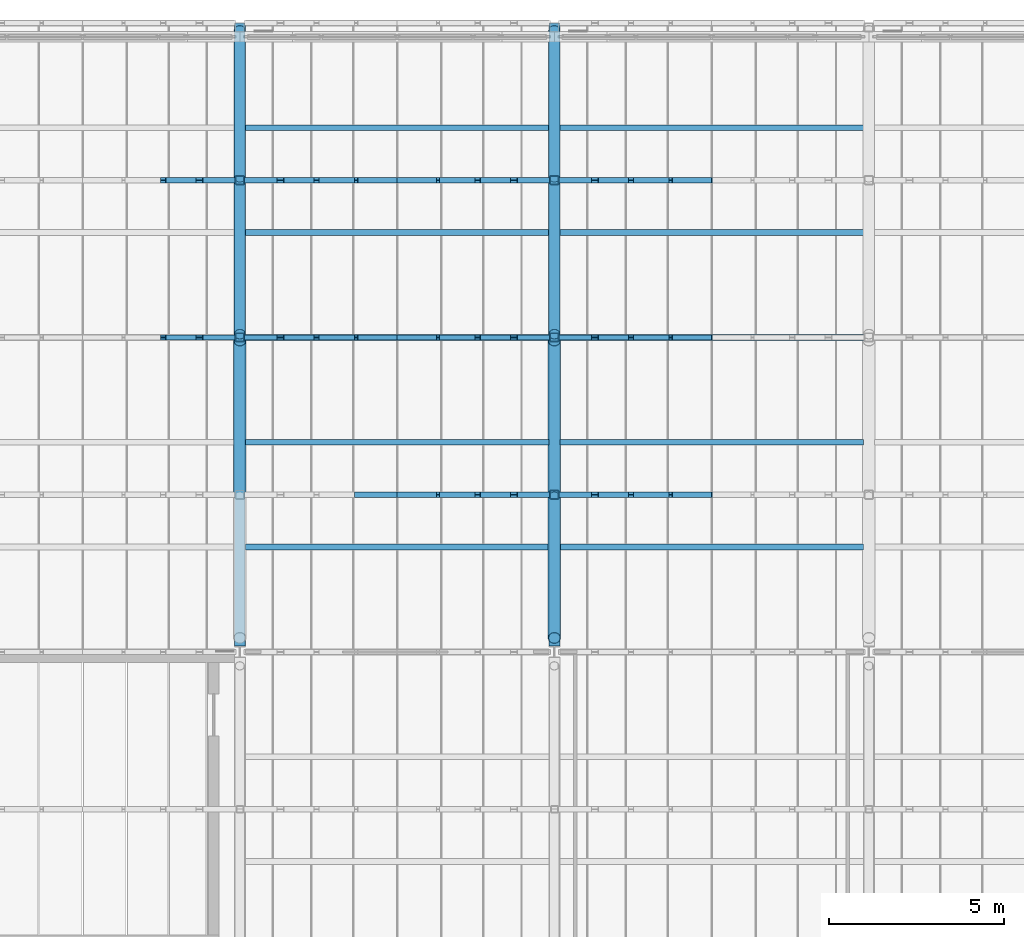
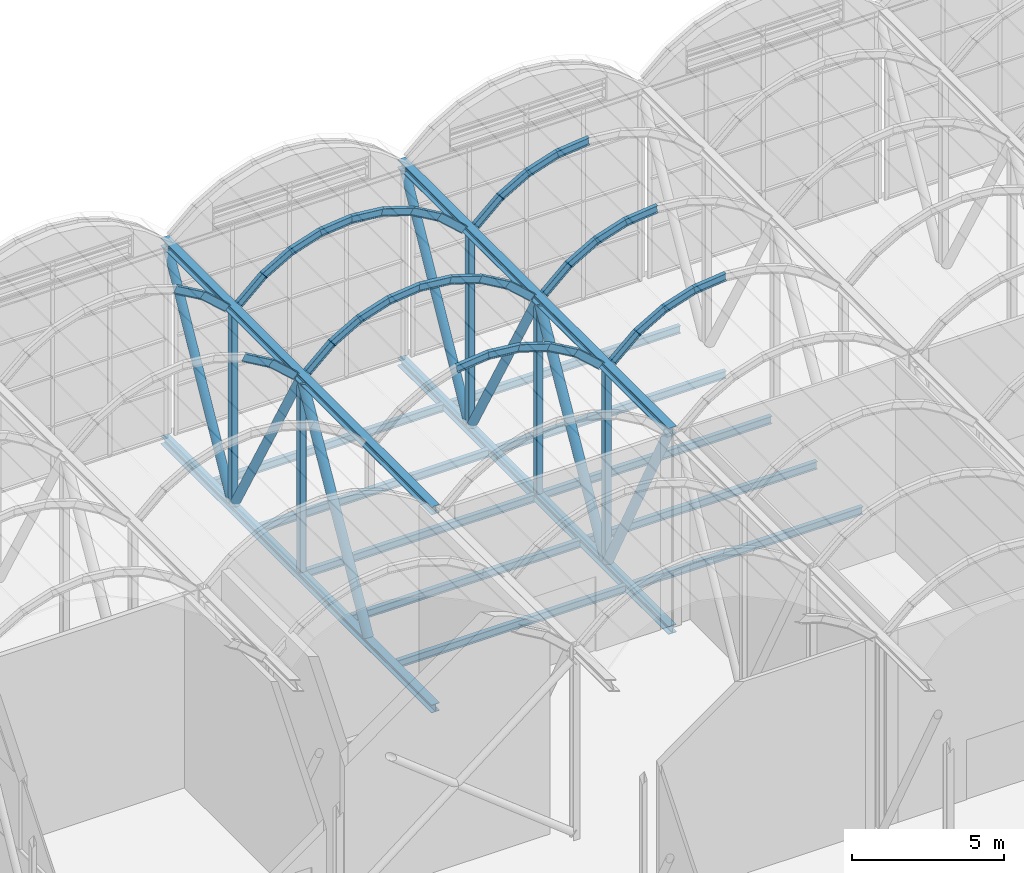
# One storey, part 103 of 144: 49 members, 14 beams.
"""IFC4 building model written with IfcOpenShell, lengths in metres."""

import ifcopenshell
import ifcopenshell.guid

model = None  # the IFC model being written
_history = None  # IfcOwnerHistory: only IFC2X3 demands one
_inside = {}  # id of a spatial element -> (the spatial element, [elements in it])
_under = {}  # id of a project, library or spatial element -> (it, [spatial elements below it])
_declared = {}  # id of a project -> (the project, [libraries it declares])
_typed = {}  # id of a type object -> (the type object, [elements of that type])
_made_of = {}  # id of a material, layer set ... -> (it, [elements and type objects made of it])


def new_model(schema):
    """Start an empty IFC model of exactly this schema.

    Asked for "IFC4X3", IfcOpenShell would pick the latest addendum, in which some entities
    have other attributes; the version numbers below select the first issue.
    IFC2X3 requires an IfcOwnerHistory on every rooted entity: one is made here for all.
    """
    global model, _history
    if schema == "IFC4X3":
        model = ifcopenshell.file(schema_version=(4, 3, 0, 0))
    else:
        model = ifcopenshell.file(schema=schema)
    _inside.clear()
    _under.clear()
    _declared.clear()
    _typed.clear()
    _made_of.clear()
    _history = None
    if model.schema == "IFC2X3":
        org = make("IfcOrganization", Name="unknown")
        user = make(
            "IfcPersonAndOrganization",
            ThePerson=make("IfcPerson", FamilyName="unknown"),
            TheOrganization=org,
        )
        app = make(
            "IfcApplication",
            ApplicationDeveloper=org,
            Version="unknown",
            ApplicationFullName="unknown",
            ApplicationIdentifier="unknown",
        )
        _history = make(
            "IfcOwnerHistory",
            OwningUser=user,
            OwningApplication=app,
            ChangeAction="ADDED",
            CreationDate=0,
        )
    return model


def make(cls, **values):
    """One entity of the class cls with the attributes given. An attribute that is None is left unset."""
    return model.create_entity(
        cls, **{name: value for name, value in values.items() if value is not None}
    )


def rooted(cls, **values):
    """An entity with a GlobalId (a new one), such as an element, a storey or a relation."""
    return make(cls, GlobalId=ifcopenshell.guid.new(), OwnerHistory=_history, **values)


def si_unit(unit_type, name, prefix=None):
    """IfcSIUnit, for example si_unit("LENGTHUNIT", "METRE", prefix="MILLI")."""
    return make("IfcSIUnit", UnitType=unit_type, Prefix=prefix, Name=name)


def assignment(units):
    """IfcUnitAssignment: the units of a project."""
    return None if units is None else make("IfcUnitAssignment", Units=units)


def point(xyz):
    """IfcCartesianPoint."""
    return None if xyz is None else make("IfcCartesianPoint", Coordinates=xyz)


def direction(xyz):
    """IfcDirection."""
    return None if xyz is None else make("IfcDirection", DirectionRatios=xyz)


def frame(location, z_axis=None, x_axis=None):
    """IfcAxis2Placement3D, a coordinate frame: its origin and axes. An axis left out is left unset."""
    return make(
        "IfcAxis2Placement3D",
        Location=point(location),
        Axis=direction(z_axis),
        RefDirection=direction(x_axis),
    )


def frame_2d(location, x_axis=None):
    """IfcAxis2Placement2D, a coordinate frame in the plane: its origin and x axis."""
    return make(
        "IfcAxis2Placement2D", Location=point(location), RefDirection=direction(x_axis)
    )


def origin():
    """The frame at (0, 0, 0) with its axes left unset."""
    return frame((0.0, 0.0, 0.0))


def origin_2d():
    """The frame at (0, 0) in the plane with its x axis left unset."""
    return frame_2d((0.0, 0.0))


def place(relative_to, where):
    """IfcLocalPlacement: puts the frame where relative to a parent placement (None: the world)."""
    return make(
        "IfcLocalPlacement", PlacementRelTo=relative_to, RelativePlacement=where
    )


def context(
    kind, dimensions, precision=None, world=None, true_north=None, identifier=None
):
    """IfcGeometricRepresentationContext, for example the 3D "Model" context."""
    return make(
        "IfcGeometricRepresentationContext",
        ContextIdentifier=identifier,
        ContextType=kind,
        CoordinateSpaceDimension=dimensions,
        Precision=precision,
        WorldCoordinateSystem=world,
        TrueNorth=true_north,
    )


def subcontext(parent, identifier, kind, view, scale=None):
    """IfcGeometricRepresentationSubContext, for example "Body" below "Model"."""
    return make(
        "IfcGeometricRepresentationSubContext",
        ContextIdentifier=identifier,
        ContextType=kind,
        ParentContext=parent,
        TargetScale=scale,
        TargetView=view,
    )


def project(units=None, contexts=None):
    """IfcProject with its units and contexts."""
    return rooted(
        "IfcProject",
        Name="project",
        RepresentationContexts=contexts,
        UnitsInContext=assignment(units),
    )


def spatial(cls, under=None, at=None, **own):
    """A site, building, storey or space (cls), placed at a placement, below another one or the project."""
    s = rooted(cls, ObjectPlacement=at, **own)
    if under is not None:
        _under.setdefault(under.id(), (under, []))[1].append(s)
    return s


def profile(cls, at=None, kind="AREA", **sizes):
    """A parametric profile (cls). Its sizes go by their IFC names, for example OverallWidth=200.0."""
    return make(cls, ProfileType=kind, Position=at, **sizes)


def hollow_rectangle(**sizes):
    """IfcRectangleHollowProfileDef."""
    return profile("IfcRectangleHollowProfileDef", **sizes)


def hollow_circle(**sizes):
    """IfcCircleHollowProfileDef."""
    return profile("IfcCircleHollowProfileDef", **sizes)


def i_section(**sizes):
    """IfcIShapeProfileDef."""
    return profile("IfcIShapeProfileDef", **sizes)


def extrude(swept, where, along, depth):
    """IfcExtrudedAreaSolid: the profile swept, set in the frame where, extruded along a direction by depth."""
    return make(
        "IfcExtrudedAreaSolid",
        SweptArea=swept,
        Position=where,
        ExtrudedDirection=direction(along),
        Depth=depth,
    )


def shape(context_of_items, identifier, shape_type, items):
    """IfcShapeRepresentation: the items that make up one representation, for example the "Body"."""
    return make(
        "IfcShapeRepresentation",
        ContextOfItems=context_of_items,
        RepresentationIdentifier=identifier,
        RepresentationType=shape_type,
        Items=items,
    )


def material(Name=None, Category=None):
    """IfcMaterial."""
    return make("IfcMaterial", Name=Name, Category=Category)


def material_profile(
    of_material, cross_section, Name=None, Category=None, Priority=None
):
    """IfcMaterialProfile: a cross section and its material."""
    return make(
        "IfcMaterialProfile",
        Name=Name,
        Material=of_material,
        Profile=cross_section,
        Priority=Priority,
        Category=Category,
    )


def profile_set(profiles, Name=None, composite=None):
    """IfcMaterialProfileSet."""
    return make(
        "IfcMaterialProfileSet",
        Name=Name,
        MaterialProfiles=profiles,
        CompositeProfile=composite,
    )


def made_of(thing, what):
    """Note that an element or type object is made of a material, layer set ...; save() writes the relation."""
    if what is not None:
        _made_of.setdefault(what.id(), (what, []))[1].append(thing)
    return thing


def type_object(cls, material=None, **own):
    """A type object (cls), such as IfcWallType, which elements share."""
    return made_of(rooted(cls, **own), material)


def element(
    cls,
    number,
    at=None,
    inside=None,
    cuts=None,
    type_object=None,
    material=None,
    context=None,
    identifier="Body",
    shape_type=None,
    held_by="IfcProductDefinitionShape",
    body=None,
    shapes=None,
    **own,
):
    """One element of the class cls, such as IfcWall. Its Tag is "e" and its number.

    at: its placement. inside: the storey or other place that contains it. cuts: it is an
    opening in that element (IfcRelVoidsElement). A single representation is given by context,
    identifier, shape_type and body (its items); several are given by shapes. held_by: the class
    of the entity that holds the representations. save() writes the other relations.
    """
    e = rooted(cls, Tag="e%d" % number, ObjectPlacement=at, **own)
    if body is not None:
        shapes = [shape(context, identifier, shape_type, body)]
    if shapes is not None:
        e.Representation = make(held_by, Representations=shapes)
    if inside is not None:
        _inside.setdefault(inside.id(), (inside, []))[1].append(e)
    if cuts is not None:
        rooted(
            "IfcRelVoidsElement", RelatingBuildingElement=cuts, RelatedOpeningElement=e
        )
    if type_object is not None:
        _typed.setdefault(type_object.id(), (type_object, []))[1].append(e)
    return made_of(e, material)


def aggregate(whole, parts):
    """IfcRelAggregates: a whole, such as a stair, and the parts it consists of."""
    return rooted("IfcRelAggregates", RelatingObject=whole, RelatedObjects=parts)


def save(model, path):
    """Write the relations noted so far, then the file.

    IfcRelAggregates (storeys below a building ...), IfcRelContainedInSpatialStructure (elements
    in a storey), IfcRelDefinesByType, IfcRelAssociatesMaterial and IfcRelDeclares: one each for
    every whole, place, type object, material and project.
    """
    for whole, parts in _under.values():
        aggregate(whole, parts)
    for where, things in _inside.values():
        rooted(
            "IfcRelContainedInSpatialStructure",
            RelatedElements=things,
            RelatingStructure=where,
        )
    for kind, things in _typed.values():
        rooted("IfcRelDefinesByType", RelatedObjects=things, RelatingType=kind)
    for what, things in _made_of.values():
        rooted("IfcRelAssociatesMaterial", RelatedObjects=things, RelatingMaterial=what)
    for by, libraries in _declared.values():
        rooted("IfcRelDeclares", RelatingContext=by, RelatedDefinitions=libraries)
    model.write(path)


model = new_model("IFC4")

# Units and contexts
model_context = context("Model", 3, precision=1e-05, world=origin(), true_north=direction((0.0, 1.0)))
body_context = subcontext(model_context, "Body", "Model", "MODEL_VIEW")
ifc_project = project(units=[si_unit("LENGTHUNIT", "METRE"), si_unit("AREAUNIT", "SQUARE_METRE"), si_unit("VOLUMEUNIT", "CUBIC_METRE"), si_unit("PLANEANGLEUNIT", "RADIAN"), si_unit("MASSUNIT", "GRAM", prefix="KILO")], contexts=[model_context])

# Site, building, storey
site_placement = place(None, origin())
site = spatial("IfcSite", under=ifc_project, at=site_placement, CompositionType="ELEMENT")
building_placement = place(site_placement, origin())
building = spatial("IfcBuilding", under=site, at=building_placement, Name="Shorebreak Coast Museum", CompositionType="ELEMENT")
storey_placement = place(building_placement, frame((0.0, 0.0, 36.0)))
storey = spatial("IfcBuildingStorey", under=building, at=storey_placement, Name="L06", CompositionType="ELEMENT", Elevation=36.0)

# Beams
ifc_material_1 = material(Name="Steel Grade 300", Category="steel")
ifc_material_profile_1 = material_profile(ifc_material_1, i_section(OverallWidth=0.166015625, OverallDepth=0.30712890625, WebThickness=0.006591796875, FlangeThickness=0.01171875, FilletRadius=0.011474609375, at=origin_2d()), Name="310UB46.2")
ifc_profile_set_1 = profile_set([ifc_material_profile_1], Name="Steel Grade 300")
beam_type_1 = type_object("IfcBeamType", Name="Floor girder east-west 310UB46.2", PredefinedType="BEAM", material=ifc_profile_set_1)
for number, where, z_axis, x_axis, name in (
    (1, (72.155517578125, 126.0, -0.32861328125), (1.0, 0.0, 0.0), (0.0, 1.0, 0.0), "Floor girder east-west L06 9R"),
    (2, (81.155517578125, 126.0, -0.32861328125), (1.0, 0.0, 0.0), (0.0, 1.0, 0.0), "Floor girder east-west L06 10R"),
):
    element("IfcBeam", number, at=place(storey_placement, frame(where, z_axis=z_axis, x_axis=x_axis)), inside=storey, type_object=beam_type_1, Name=name, PredefinedType="BEAM", context=body_context, shape_type="SweptSolid", body=[
        extrude(i_section(OverallWidth=0.166015625, OverallDepth=0.30712890625, WebThickness=0.006591796875, FlangeThickness=0.01171875, FilletRadius=0.011474609375, at=origin_2d()), origin(), (0.0, 0.0, 1.0), 8.68896484375),
    ])
ifc_material_2 = material(Name="Steel Grade 300", Category="steel")
ifc_material_profile_2 = material_profile(ifc_material_2, i_section(OverallWidth=0.166015625, OverallDepth=0.30712890625, WebThickness=0.006591796875, FlangeThickness=0.01171875, FilletRadius=0.011474609375, at=origin_2d()), Name="310UB46.2")
ifc_profile_set_2 = profile_set([ifc_material_profile_2], Name="Steel Grade 300")
beam_type_2 = type_object("IfcBeamType", Name="Floor joist 310UB46.2", PredefinedType="JOIST", material=ifc_profile_set_2)
for number, where, z_axis, x_axis, name in (
    (3, (72.155517578125, 120.0, -0.32861328125), (1.0, 0.0, 0.0), (0.0, 1.0, 0.0), "Floor joist L06 bay 9P at 3000 mm"),
    (4, (72.155517578125, 123.0, -0.32861328125), (1.0, 0.0, 0.0), (0.0, 1.0, 0.0), "Floor joist L06 bay 9P at 6000 mm"),
    (5, (81.155517578125, 120.0, -0.32861328125), (1.0, 0.0, 0.0), (0.0, 1.0, 0.0), "Floor joist L06 bay 10P at 3000 mm"),
    (6, (81.155517578125, 123.0, -0.32861328125), (1.0, 0.0, 0.0), (0.0, 1.0, 0.0), "Floor joist L06 bay 10P at 6000 mm"),
    (7, (72.155517578125, 129.0, -0.32861328125), (1.0, 0.0, 0.0), (0.0, 1.0, 0.0), "Floor joist L06 bay 9R at 3000 mm"),
    (8, (72.155517578125, 132.0, -0.32861328125), (1.0, 0.0, 0.0), (0.0, 1.0, 0.0), "Floor joist L06 bay 9R at 6000 mm"),
    (9, (81.155517578125, 129.0, -0.32861328125), (1.0, 0.0, 0.0), (0.0, 1.0, 0.0), "Floor joist L06 bay 10R at 3000 mm"),
    (10, (81.155517578125, 132.0, -0.32861328125), (1.0, 0.0, 0.0), (0.0, 1.0, 0.0), "Floor joist L06 bay 10R at 6000 mm"),
):
    element("IfcBeam", number, at=place(storey_placement, frame(where, z_axis=z_axis, x_axis=x_axis)), inside=storey, type_object=beam_type_2, Name=name, PredefinedType="JOIST", context=body_context, shape_type="SweptSolid", body=[
        extrude(i_section(OverallWidth=0.166015625, OverallDepth=0.30712890625, WebThickness=0.006591796875, FlangeThickness=0.01171875, FilletRadius=0.011474609375, at=origin_2d()), origin(), (0.0, 0.0, 1.0), 8.68896484375),
    ])
ifc_material_3 = material(Name="Steel Grade 300", Category="steel")
ifc_material_profile_3 = material_profile(ifc_material_3, i_section(OverallWidth=0.30908203125, OverallDepth=0.320556640625, WebThickness=0.013916015625, FlangeThickness=0.021728515625, FilletRadius=0.0166015625, at=origin_2d()), Name="310UC137")
ifc_profile_set_3 = profile_set([ifc_material_profile_3], Name="Steel Grade 300")
beam_type_3 = type_object("IfcBeamType", Name="Transfer truss chord 310UC137", PredefinedType="BEAM", material=ifc_profile_set_3)
for number, where, z_axis, x_axis, name in (
    (11, (72.0, 117.16357421875, -0.335205078125), (0.0, 1.0, 0.0), (-1.0, 0.0, 0.0), "Transfer truss TR3 chord C08"),
    (12, (81.0, 117.16357421875, -0.335205078125), (0.0, 1.0, 0.0), (-1.0, 0.0, 0.0), "Transfer truss TR4 chord C08"),
):
    element("IfcBeam", number, at=place(storey_placement, frame(where, z_axis=z_axis, x_axis=x_axis)), inside=storey, type_object=beam_type_3, Name=name, PredefinedType="BEAM", context=body_context, shape_type="SweptSolid", body=[
        extrude(i_section(OverallWidth=0.30908203125, OverallDepth=0.320556640625, WebThickness=0.013916015625, FlangeThickness=0.021728515625, FilletRadius=0.0166015625, at=origin_2d()), origin(), (0.0, 0.0, 1.0), 17.83642578125),
    ])
ifc_material_4 = material(Name="Steel Grade 300", Category="steel")
ifc_material_profile_4 = material_profile(ifc_material_4, i_section(OverallWidth=0.31103515625, OverallDepth=0.3271484375, WebThickness=0.015625, FlangeThickness=0.02490234375, FilletRadius=0.0166015625, at=origin_2d()), Name="310UC158")
ifc_profile_set_4 = profile_set([ifc_material_profile_4], Name="Steel Grade 300")
beam_type_4 = type_object("IfcBeamType", Name="Transfer truss chord 310UC158", PredefinedType="BEAM", material=ifc_profile_set_4)
for number, where, z_axis, x_axis, name in (
    (13, (72.0, 117.16357421875, 7.621337890625), (0.0, 1.0, 0.0), (-1.0, 0.0, 0.0), "Transfer truss TR3 chord C12"),
    (14, (81.0, 117.16357421875, 7.621337890625), (0.0, 1.0, 0.0), (-1.0, 0.0, 0.0), "Transfer truss TR4 chord C12"),
):
    element("IfcBeam", number, at=place(storey_placement, frame(where, z_axis=z_axis, x_axis=x_axis)), inside=storey, type_object=beam_type_4, Name=name, PredefinedType="BEAM", context=body_context, shape_type="SweptSolid", body=[
        extrude(i_section(OverallWidth=0.31103515625, OverallDepth=0.3271484375, WebThickness=0.015625, FlangeThickness=0.02490234375, FilletRadius=0.0166015625, at=origin_2d()), origin(), (0.0, 0.0, 1.0), 17.83642578125),
    ])

# Members
ifc_material_5 = material(Name="Steel Grade C350L0", Category="steel")
ifc_material_profile_5 = material_profile(ifc_material_5, hollow_circle(Radius=0.161865234375, WallThickness=0.009521484375, at=origin_2d()), Name="323.9x9.5 CHS")
ifc_profile_set_5 = profile_set([ifc_material_profile_5], Name="Steel Grade C350L0")
member_type_1 = type_object("IfcMemberType", Name="Transfer truss diagonal 323.9x9.5 CHS", PredefinedType="BRACE", material=ifc_profile_set_5)
member_1_placement = place(storey_placement, frame((72.0, 130.4091796875, -0.175048828125), z_axis=(0.0, -0.492269166118, 0.870443029778), x_axis=(1.0, 0.0, 0.0)))
element("IfcMember", 15, at=member_1_placement, inside=storey, type_object=member_type_1, Name="Transfer truss TR3 diagonal D17", PredefinedType="BRACE", context=body_context, shape_type="SweptSolid", body=[
    extrude(hollow_circle(Radius=0.161865234375, WallThickness=0.009521484375, at=origin_2d()), origin(), (0.0, 0.0, 1.0), 8.768798828125),
])
member_2_placement = place(storey_placement, frame((72.0, 130.588134765625, -0.175048828125), z_axis=(0.0, 0.481806847745, 0.876277445485), x_axis=(-1.0, 0.0, 0.0)))
element("IfcMember", 16, at=member_2_placement, inside=storey, type_object=member_type_1, Name="Transfer truss TR3 diagonal D18", PredefinedType="BRACE", context=body_context, shape_type="SweptSolid", body=[
    extrude(hollow_circle(Radius=0.161865234375, WallThickness=0.009521484375, at=origin_2d()), origin(), (0.0, 0.0, 1.0), 8.71044921875),
])
member_3_placement = place(storey_placement, frame((81.0, 130.4091796875, -0.175048828125), z_axis=(0.0, -0.492269166118, 0.870443029778), x_axis=(1.0, 0.0, 0.0)))
element("IfcMember", 17, at=member_3_placement, inside=storey, type_object=member_type_1, Name="Transfer truss TR4 diagonal D17", PredefinedType="BRACE", context=body_context, shape_type="SweptSolid", body=[
    extrude(hollow_circle(Radius=0.161865234375, WallThickness=0.009521484375, at=origin_2d()), origin(), (0.0, 0.0, 1.0), 8.768798828125),
])
member_4_placement = place(storey_placement, frame((81.0, 130.588134765625, -0.175048828125), z_axis=(0.0, 0.481806847745, 0.876277445485), x_axis=(-1.0, 0.0, 0.0)))
element("IfcMember", 18, at=member_4_placement, inside=storey, type_object=member_type_1, Name="Transfer truss TR4 diagonal D18", PredefinedType="BRACE", context=body_context, shape_type="SweptSolid", body=[
    extrude(hollow_circle(Radius=0.161865234375, WallThickness=0.009521484375, at=origin_2d()), origin(), (0.0, 0.0, 1.0), 8.71044921875),
])
ifc_material_6 = material(Name="Steel Grade C350L0", Category="steel")
ifc_material_profile_6 = material_profile(ifc_material_6, hollow_circle(Radius=0.177734375, WallThickness=0.0126953125, at=origin_2d()), Name="355.6x12.7 CHS")
ifc_profile_set_6 = profile_set([ifc_material_profile_6], Name="Steel Grade C350L0")
member_type_2 = type_object("IfcMemberType", Name="Transfer truss diagonal 355.6x12.7 CHS", PredefinedType="BRACE", material=ifc_profile_set_6)
member_5_placement = place(storey_placement, frame((72.0, 121.5908203125, -0.175048828125), z_axis=(0.0, 0.492269166118, 0.870443029778), x_axis=(-1.0, 0.0, 0.0)))
element("IfcMember", 19, at=member_5_placement, inside=storey, type_object=member_type_2, Name="Transfer truss TR3 diagonal D16", PredefinedType="BRACE", context=body_context, shape_type="SweptSolid", body=[
    extrude(hollow_circle(Radius=0.177734375, WallThickness=0.0126953125, at=origin_2d()), origin(), (0.0, 0.0, 1.0), 8.768798828125),
])
member_6_placement = place(storey_placement, frame((81.0, 121.415771484375, -0.175048828125), z_axis=(0.0, -0.465641431585, 0.884973478242), x_axis=(1.0, 0.0, 0.0)))
element("IfcMember", 20, at=member_6_placement, inside=storey, type_object=member_type_2, Name="Transfer truss TR4 diagonal D15", PredefinedType="BRACE", context=body_context, shape_type="SweptSolid", body=[
    extrude(hollow_circle(Radius=0.177734375, WallThickness=0.0126953125, at=origin_2d()), origin(), (0.0, 0.0, 1.0), 8.625),
])
member_7_placement = place(storey_placement, frame((81.0, 121.5908203125, -0.175048828125), z_axis=(0.0, 0.492269166118, 0.870443029778), x_axis=(-1.0, 0.0, 0.0)))
element("IfcMember", 21, at=member_7_placement, inside=storey, type_object=member_type_2, Name="Transfer truss TR4 diagonal D16", PredefinedType="BRACE", context=body_context, shape_type="SweptSolid", body=[
    extrude(hollow_circle(Radius=0.177734375, WallThickness=0.0126953125, at=origin_2d()), origin(), (0.0, 0.0, 1.0), 8.768798828125),
])
ifc_material_7 = material(Name="Steel Grade C450L0", Category="steel")
ifc_material_profile_7 = material_profile(ifc_material_7, hollow_rectangle(XDim=0.25, YDim=0.25, WallThickness=0.009033203125, InnerFilletRadius=0.013427734375, OuterFilletRadius=0.0224609375, at=origin_2d()), Name="250x250x9.0 SHS")
ifc_profile_set_7 = profile_set([ifc_material_profile_7], Name="Steel Grade C450L0")
member_type_3 = type_object("IfcMemberType", Name="Transfer truss strut 250x250x9.0 SHS", PredefinedType="STRUT", material=ifc_profile_set_7)
for number, where, z_axis, x_axis, name in (
    (22, (72.0, 126.0, -0.175048828125), (0.0, 0.0, 1.0), (1.0, 0.0, 0.0), "Transfer truss TR3 strut V12"),
    (23, (72.0, 130.5, -0.175048828125), (0.0, 0.0, 1.0), (1.0, 0.0, 0.0), "Transfer truss TR3 strut V13"),
    (24, (81.0, 121.5, -0.175048828125), (0.0, 0.0, 1.0), (1.0, 0.0, 0.0), "Transfer truss TR4 strut V11"),
    (25, (81.0, 126.0, -0.175048828125), (0.0, 0.0, 1.0), (1.0, 0.0, 0.0), "Transfer truss TR4 strut V12"),
    (26, (81.0, 130.5, -0.175048828125), (0.0, 0.0, 1.0), (1.0, 0.0, 0.0), "Transfer truss TR4 strut V13"),
):
    element("IfcMember", number, at=place(storey_placement, frame(where, z_axis=z_axis, x_axis=x_axis)), inside=storey, type_object=member_type_3, Name=name, PredefinedType="STRUT", context=body_context, shape_type="SweptSolid", body=[
        extrude(hollow_rectangle(XDim=0.25, YDim=0.25, WallThickness=0.009033203125, InnerFilletRadius=0.013427734375, OuterFilletRadius=0.0224609375, at=origin_2d()), origin(), (0.0, 0.0, 1.0), 7.6328125),
    ])
ifc_material_8 = material(Name="Steel Grade 300", Category="steel")
ifc_material_profile_8 = material_profile(ifc_material_8, i_section(OverallWidth=0.14892578125, OverallDepth=0.298095703125, WebThickness=0.005615234375, FlangeThickness=0.008056640625, FilletRadius=0.012939453125, at=origin_2d()), Name="310UB32.0")
ifc_profile_set_8 = profile_set([ifc_material_profile_8], Name="Steel Grade 300")
member_type_4 = type_object("IfcMemberType", Name="Vault arch rib 310UB32.0", PredefinedType="RAFTER", material=ifc_profile_set_8)
for number, where, z_axis, x_axis, name in (
    (27, (69.80615234375, 126.0, 9.16455078125), (0.866444596228, 0.0, -0.499273233478), (0.0, 1.0, 0.0), "Vault arch rib V2 line 08 facet 7"),
    (28, (69.80615234375, 130.5, 9.16455078125), (0.866444596228, 0.0, -0.499273233478), (0.0, 1.0, 0.0), "Vault arch rib V2 line 09 facet 7"),
):
    element("IfcMember", number, at=place(storey_placement, frame(where, z_axis=z_axis, x_axis=x_axis)), inside=storey, type_object=member_type_4, Name=name, PredefinedType="RAFTER", context=body_context, shape_type="SweptSolid", body=[
        extrude(i_section(OverallWidth=0.14892578125, OverallDepth=0.298095703125, WebThickness=0.005615234375, FlangeThickness=0.008056640625, FilletRadius=0.012939453125, at=origin_2d()), origin(), (0.0, 0.0, 1.0), 1.223388671875),
    ])
for number, where, z_axis, x_axis, name in (
    (29, (70.841064453125, 126.0, 8.572021484375), (0.743894909598, 0.0, -0.668296613394), (0.0, 1.0, 0.0), "Vault arch rib V2 line 08 facet 8"),
    (30, (70.841064453125, 130.5, 8.572021484375), (0.743894909598, 0.0, -0.668296613394), (0.0, 1.0, 0.0), "Vault arch rib V2 line 09 facet 8"),
    (31, (72.21240234375, 126.0, 7.7216796875), (0.743894909598, 0.0, 0.668296613394), (0.0, 1.0, 0.0), "Vault arch rib V3 line 08 facet 1"),
    (32, (72.21240234375, 130.5, 7.7216796875), (0.743894909598, 0.0, 0.668296613394), (0.0, 1.0, 0.0), "Vault arch rib V3 line 09 facet 1"),
):
    element("IfcMember", number, at=place(storey_placement, frame(where, z_axis=z_axis, x_axis=x_axis)), inside=storey, type_object=member_type_4, Name=name, PredefinedType="RAFTER", context=body_context, shape_type="SweptSolid", body=[
        extrude(i_section(OverallWidth=0.14892578125, OverallDepth=0.298095703125, WebThickness=0.005615234375, FlangeThickness=0.008056640625, FilletRadius=0.012939453125, at=origin_2d()), origin(), (0.0, 0.0, 1.0), 1.2724609375),
    ])
for number, where, z_axis, x_axis, name in (
    (33, (73.1337890625, 126.0, 8.5537109375), (0.866444596228, 0.0, 0.499273233478), (0.0, 1.0, 0.0), "Vault arch rib V3 line 08 facet 2"),
    (34, (73.1337890625, 130.5, 8.5537109375), (0.866444596228, 0.0, 0.499273233478), (0.0, 1.0, 0.0), "Vault arch rib V3 line 09 facet 2"),
    (35, (74.165283203125, 126.0, 9.152099609375), (0.951225984169, 0.0, 0.308494938436), (0.0, 1.0, 0.0), "Vault arch rib V3 line 08 facet 3"),
    (36, (74.165283203125, 130.5, 9.152099609375), (0.951225984169, 0.0, 0.308494938436), (0.0, 1.0, 0.0), "Vault arch rib V3 line 09 facet 3"),
    (37, (75.298828125, 121.5, 9.52294921875), (0.994539296345, 0.0, 0.104362771266), (0.0, 1.0, 0.0), "Vault arch rib V3 line 07 facet 4"),
    (38, (75.298828125, 126.0, 9.52294921875), (0.994539296345, 0.0, 0.104362771266), (0.0, 1.0, 0.0), "Vault arch rib V3 line 08 facet 4"),
    (39, (75.298828125, 130.5, 9.52294921875), (0.994539296345, 0.0, 0.104362771266), (0.0, 1.0, 0.0), "Vault arch rib V3 line 09 facet 4"),
    (40, (76.484375, 121.5, 9.650634765625), (0.994539296345, 0.0, -0.104362771266), (0.0, 1.0, 0.0), "Vault arch rib V3 line 07 facet 5"),
    (41, (76.484375, 126.0, 9.650634765625), (0.994539296345, 0.0, -0.104362771266), (0.0, 1.0, 0.0), "Vault arch rib V3 line 08 facet 5"),
    (42, (76.484375, 130.5, 9.650634765625), (0.994539296345, 0.0, -0.104362771266), (0.0, 1.0, 0.0), "Vault arch rib V3 line 09 facet 5"),
    (43, (77.6708984375, 121.5, 9.529541015625), (0.951225984169, 0.0, -0.308494938436), (0.0, 1.0, 0.0), "Vault arch rib V3 line 07 facet 6"),
    (44, (77.6708984375, 126.0, 9.529541015625), (0.951225984169, 0.0, -0.308494938436), (0.0, 1.0, 0.0), "Vault arch rib V3 line 08 facet 6"),
    (45, (77.6708984375, 130.5, 9.529541015625), (0.951225984169, 0.0, -0.308494938436), (0.0, 1.0, 0.0), "Vault arch rib V3 line 09 facet 6"),
    (46, (78.80615234375, 121.5, 9.16455078125), (0.866444596228, 0.0, -0.499273233478), (0.0, 1.0, 0.0), "Vault arch rib V3 line 07 facet 7"),
    (47, (78.80615234375, 126.0, 9.16455078125), (0.866444596228, 0.0, -0.499273233478), (0.0, 1.0, 0.0), "Vault arch rib V3 line 08 facet 7"),
    (48, (78.80615234375, 130.5, 9.16455078125), (0.866444596228, 0.0, -0.499273233478), (0.0, 1.0, 0.0), "Vault arch rib V3 line 09 facet 7"),
):
    element("IfcMember", number, at=place(storey_placement, frame(where, z_axis=z_axis, x_axis=x_axis)), inside=storey, type_object=member_type_4, Name=name, PredefinedType="RAFTER", context=body_context, shape_type="SweptSolid", body=[
        extrude(i_section(OverallWidth=0.14892578125, OverallDepth=0.298095703125, WebThickness=0.005615234375, FlangeThickness=0.008056640625, FilletRadius=0.012939453125, at=origin_2d()), origin(), (0.0, 0.0, 1.0), 1.223388671875),
    ])
for number, where, z_axis, x_axis, name in (
    (49, (79.841064453125, 121.5, 8.572021484375), (0.743894909598, 0.0, -0.668296613394), (0.0, 1.0, 0.0), "Vault arch rib V3 line 07 facet 8"),
    (50, (79.841064453125, 126.0, 8.572021484375), (0.743894909598, 0.0, -0.668296613394), (0.0, 1.0, 0.0), "Vault arch rib V3 line 08 facet 8"),
    (51, (79.841064453125, 130.5, 8.572021484375), (0.743894909598, 0.0, -0.668296613394), (0.0, 1.0, 0.0), "Vault arch rib V3 line 09 facet 8"),
    (52, (81.21240234375, 121.5, 7.7216796875), (0.743894909598, 0.0, 0.668296613394), (0.0, 1.0, 0.0), "Vault arch rib V4 line 07 facet 1"),
    (53, (81.21240234375, 126.0, 7.7216796875), (0.743894909598, 0.0, 0.668296613394), (0.0, 1.0, 0.0), "Vault arch rib V4 line 08 facet 1"),
    (54, (81.21240234375, 130.5, 7.7216796875), (0.743894909598, 0.0, 0.668296613394), (0.0, 1.0, 0.0), "Vault arch rib V4 line 09 facet 1"),
):
    element("IfcMember", number, at=place(storey_placement, frame(where, z_axis=z_axis, x_axis=x_axis)), inside=storey, type_object=member_type_4, Name=name, PredefinedType="RAFTER", context=body_context, shape_type="SweptSolid", body=[
        extrude(i_section(OverallWidth=0.14892578125, OverallDepth=0.298095703125, WebThickness=0.005615234375, FlangeThickness=0.008056640625, FilletRadius=0.012939453125, at=origin_2d()), origin(), (0.0, 0.0, 1.0), 1.2724609375),
    ])
for number, where, z_axis, x_axis, name in (
    (55, (82.1337890625, 121.5, 8.5537109375), (0.866444596228, 0.0, 0.499273233478), (0.0, 1.0, 0.0), "Vault arch rib V4 line 07 facet 2"),
    (56, (82.1337890625, 126.0, 8.5537109375), (0.866444596228, 0.0, 0.499273233478), (0.0, 1.0, 0.0), "Vault arch rib V4 line 08 facet 2"),
    (57, (82.1337890625, 130.5, 8.5537109375), (0.866444596228, 0.0, 0.499273233478), (0.0, 1.0, 0.0), "Vault arch rib V4 line 09 facet 2"),
    (58, (83.165283203125, 121.5, 9.152099609375), (0.951225984169, 0.0, 0.308494938436), (0.0, 1.0, 0.0), "Vault arch rib V4 line 07 facet 3"),
    (59, (83.165283203125, 126.0, 9.152099609375), (0.951225984169, 0.0, 0.308494938436), (0.0, 1.0, 0.0), "Vault arch rib V4 line 08 facet 3"),
    (60, (83.165283203125, 130.5, 9.152099609375), (0.951225984169, 0.0, 0.308494938436), (0.0, 1.0, 0.0), "Vault arch rib V4 line 09 facet 3"),
    (61, (84.298828125, 121.5, 9.52294921875), (0.994539296345, 0.0, 0.104362771266), (0.0, 1.0, 0.0), "Vault arch rib V4 line 07 facet 4"),
    (62, (84.298828125, 126.0, 9.52294921875), (0.994539296345, 0.0, 0.104362771266), (0.0, 1.0, 0.0), "Vault arch rib V4 line 08 facet 4"),
    (63, (84.298828125, 130.5, 9.52294921875), (0.994539296345, 0.0, 0.104362771266), (0.0, 1.0, 0.0), "Vault arch rib V4 line 09 facet 4"),
):
    element("IfcMember", number, at=place(storey_placement, frame(where, z_axis=z_axis, x_axis=x_axis)), inside=storey, type_object=member_type_4, Name=name, PredefinedType="RAFTER", context=body_context, shape_type="SweptSolid", body=[
        extrude(i_section(OverallWidth=0.14892578125, OverallDepth=0.298095703125, WebThickness=0.005615234375, FlangeThickness=0.008056640625, FilletRadius=0.012939453125, at=origin_2d()), origin(), (0.0, 0.0, 1.0), 1.223388671875),
    ])

save(model, "model.ifc")
